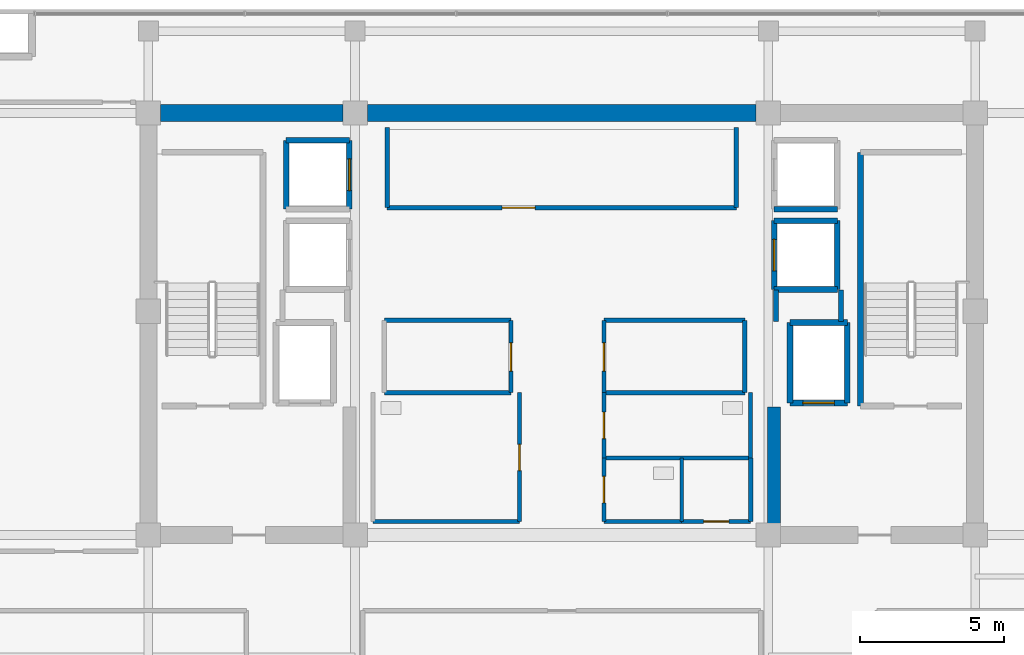
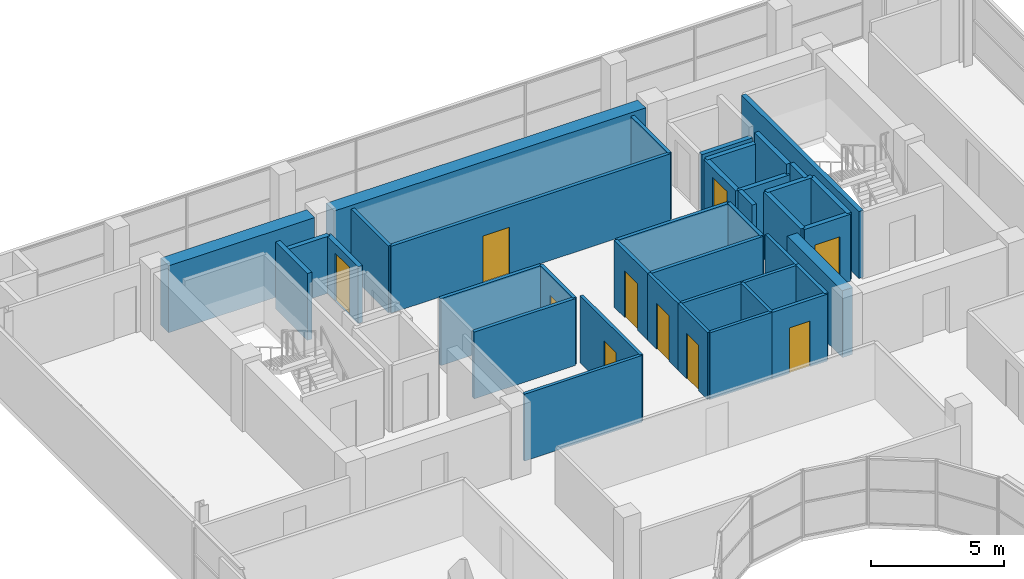
# One storey, part 24 of 29: 38 walls, 10 doors, 10 openings.
"""IFC4 building model written with IfcOpenShell, lengths in metres."""

from ifc_helpers import new_model, si_unit, direction, frame, frame_2d, origin, place, context, subcontext, project, spatial, rectangle, extrude, source, transform, mapped, material, layer, layer_set, type_object, element, fill, save


model = new_model("IFC4")

# Units and contexts
model_context = context("Model", 3, precision=1e-05, world=origin(), true_north=direction((0.0, 1.0)))
body_context = subcontext(model_context, "Body", "Model", "MODEL_VIEW")
ifc_project = project(units=[si_unit("LENGTHUNIT", "METRE"), si_unit("AREAUNIT", "SQUARE_METRE"), si_unit("VOLUMEUNIT", "CUBIC_METRE"), si_unit("PLANEANGLEUNIT", "RADIAN"), si_unit("MASSUNIT", "GRAM", prefix="KILO")], contexts=[model_context])

# Site, building, storey
site_placement = place(None, origin())
site = spatial("IfcSite", under=ifc_project, at=site_placement, CompositionType="ELEMENT")
building_placement = place(site_placement, origin())
building = spatial("IfcBuilding", under=site, at=building_placement, Name="Zarnakvel Exchange Tower", CompositionType="ELEMENT")
storey_placement = place(building_placement, frame((0.0, 0.0, 265.0)))
storey = spatial("IfcBuildingStorey", under=building, at=storey_placement, Name="L75", CompositionType="ELEMENT", Elevation=265.0)

# Walls
ifc_material_1 = material(Name="Concrete C50/60", Category="concrete")
ifc_layer_1 = layer(ifc_material_1, 0.60009765625)
ifc_layer_set_1 = layer_set([ifc_layer_1], Name="Concrete C50/60")
wall_type_1 = type_object("IfcWallType", Name="CW-C5", PredefinedType="SHEAR", material=ifc_layer_set_1)
wall_1_placement = place(storey_placement, frame((-13.97509765625, 13.5, 0.0), z_axis=(0.0, 0.0, 1.0), x_axis=(1.0, 0.0, 0.0)))
element("IfcWall", 1, at=wall_1_placement, inside=storey, type_object=wall_type_1, Name="L75 Rear Core Shear Wall N1 (CW-C5)", PredefinedType="SHEAR", context=body_context, shape_type="SweptSolid", body=[
    extrude(rectangle(XDim=6.35009765625, YDim=0.60009765625, at=frame_2d((3.175048828125, 0.0))), origin(), (0.0, 0.0, 1.0), 3.074951171875),
])
wall_2_placement = place(storey_placement, frame((-6.77490234375, 13.5, 0.0), z_axis=(0.0, 0.0, 1.0), x_axis=(1.0, 0.0, 0.0)))
element("IfcWall", 2, at=wall_2_placement, inside=storey, type_object=wall_type_1, Name="L75 Rear Core Shear Wall N2 (CW-C5)", PredefinedType="SHEAR", context=body_context, shape_type="SweptSolid", body=[
    extrude(rectangle(XDim=13.5498046875, YDim=0.60009765625, at=frame_2d((6.77490234375, 0.0))), origin(), (0.0, 0.0, 1.0), 3.074951171875),
])
ifc_layer_2 = layer(ifc_material_1, 0.449951171875)
ifc_layer_set_2 = layer_set([ifc_layer_2], Name="Concrete C50/60")
wall_type_2 = type_object("IfcWallType", Name="CW-C6", PredefinedType="SHEAR", material=ifc_layer_set_2)
wall_3_placement = place(storey_placement, frame((7.39990234375, -0.89990234375, 0.0), z_axis=(0.0, 0.0, 1.0), x_axis=(0.0, 1.0, 0.0)))
element("IfcWall", 3, at=wall_3_placement, inside=storey, type_object=wall_type_2, Name="L75 Rear Core Shear Wall IE (CW-C6)", PredefinedType="SHEAR", context=body_context, shape_type="SweptSolid", body=[
    extrude(rectangle(XDim=4.14990234375, YDim=0.449951171875, at=frame_2d((2.074951171875, 0.0))), origin(), (0.0, 0.0, 1.0), 3.074951171875),
])

# Wall, opening, door
ifc_material_2 = material(Name="Fire-Rated Gypsum Stud Partition", Category="gypsum")
ifc_layer_3 = layer(ifc_material_2, 0.14990234375)
ifc_layer_set_3 = layer_set([ifc_layer_3], Name="Fire-Rated Gypsum Stud Partition")
wall_type_3 = type_object("IfcWallType", Name="PT-01", PredefinedType="PARTITIONING", material=ifc_layer_set_3)
wall_4_placement = place(storey_placement, frame((6.080078125, 10.199951171875, 0.0), z_axis=(0.0, 0.0, 1.0), x_axis=(-1.0, 0.0, 0.0)))
wall_4 = element("IfcWall", 4, at=wall_4_placement, inside=storey, type_object=wall_type_3, Name="L75 Partition Wall PWALL-L75-011 (PT-01)", PredefinedType="PARTITIONING", context=body_context, shape_type="SweptSolid", body=[
    extrude(rectangle(XDim=12.16015625, YDim=0.14990234375, at=frame_2d((6.080078125, 0.0))), origin(), (0.0, 0.0, 1.0), 3.074951171875),
])
opening_1_placement = place(wall_4_placement, frame((7.0048828125, 0.0, 0.0)))
opening_1 = element("IfcOpeningElement", 5, at=opening_1_placement, cuts=wall_4, Name="Opening D-L75-05", PredefinedType="OPENING", context=body_context, shape_type="SweptSolid", body=[
    extrude(rectangle(XDim=1.14990234375, YDim=2.14990234375, at=frame_2d((0.574951171875, 1.074951171875))), frame((0.0, 0.0849609375, 0.0), z_axis=(0.0, -1.0, 0.0), x_axis=(1.0, 0.0, 0.0)), (0.0, 0.0, 1.0), 0.169921875),
])
ifc_material_3 = material(Name="Painted Galvanised Steel S355", Category="steel")
door_type_1 = type_object("IfcDoorType", Name="DT-04", OperationType="NOTDEFINED", PredefinedType="DOOR", material=ifc_material_3)
shared_shape_1 = source(origin(), body_context, "Body", "SweptSolid", [
    extrude(rectangle(XDim=1.14990234375, YDim=2.14990234375, at=frame_2d((0.574951171875, 1.074951171875))), frame((0.0, 0.02490234375, 0.0), z_axis=(0.0, -1.0, 0.0), x_axis=(1.0, 0.0, 0.0)), (0.0, 0.0, 1.0), 0.050048828125),
])
door_1_placement = place(opening_1_placement, origin())
door_1 = element("IfcDoor", 6, at=door_1_placement, inside=storey, type_object=door_type_1, Name="L75 Market Data Archive Suite Door D-L75-05", OperationType="SINGLE_SWING_LEFT", OverallHeight=2.14990234375, OverallWidth=1.14990234375, PredefinedType="DOOR", context=body_context, shape_type="MappedRepresentation", body=[
    mapped(shared_shape_1, transform((0.0, 0.0, 0.0), x_axis=(1.0, 0.0, 0.0), y_axis=(0.0, 1.0, 0.0), z_axis=(0.0, 0.0, 1.0), scale=1.0)),
])
fill(opening_1, door_1)

# Walls
for number, where, z_axis, x_axis, name in (
    (7, (-6.080078125, 10.199951171875, 0.0), (0.0, 0.0, 1.0), (0.0, 1.0, 0.0), "L75 Partition Wall PWALL-L75-012 (PT-01)"),
    (8, (6.080078125, 13.0, 0.0), (0.0, 0.0, 1.0), (0.0, -1.0, 0.0), "L75 Partition Wall PWALL-L75-013 (PT-01)"),
):
    element("IfcWall", number, at=place(storey_placement, frame(where, z_axis=z_axis, x_axis=x_axis)), inside=storey, type_object=wall_type_3, Name=name, PredefinedType="PARTITIONING", context=body_context, shape_type="SweptSolid", body=[
        extrude(rectangle(XDim=2.800048828125, YDim=0.14990234375, at=frame_2d((1.39990234375, 0.0))), origin(), (0.0, 0.0, 1.0), 3.074951171875),
    ])
for number, where, z_axis, x_axis, name in (
    (9, (-1.77001953125, 3.760009765625, 0.0), (0.0, 0.0, 1.0), (-1.0, 0.0, 0.0), "L75 Partition Wall PWALL-L75-014 (PT-01)"),
    (10, (-6.179931640625, 6.280029296875, 0.0), (0.0, 0.0, 1.0), (1.0, 0.0, 0.0), "L75 Partition Wall PWALL-L75-015 (PT-01)"),
):
    element("IfcWall", number, at=place(storey_placement, frame(where, z_axis=z_axis, x_axis=x_axis)), inside=storey, type_object=wall_type_3, Name=name, PredefinedType="PARTITIONING", context=body_context, shape_type="SweptSolid", body=[
        extrude(rectangle(XDim=4.409912109375, YDim=0.14990234375, at=frame_2d((2.205078125, 0.0))), origin(), (0.0, 0.0, 1.0), 3.074951171875),
    ])

# Wall, opening, door
wall_5_placement = place(storey_placement, frame((-1.77001953125, 6.280029296875, 0.0), z_axis=(0.0, 0.0, 1.0), x_axis=(0.0, -1.0, 0.0)))
wall_5 = element("IfcWall", 11, at=wall_5_placement, inside=storey, type_object=wall_type_3, Name="L75 Partition Wall PWALL-L75-017 (PT-01)", PredefinedType="PARTITIONING", context=body_context, shape_type="SweptSolid", body=[
    extrude(rectangle(XDim=2.52001953125, YDim=0.14990234375, at=frame_2d((1.260009765625, 0.0))), origin(), (0.0, 0.0, 1.0), 3.074951171875),
])
opening_2_placement = place(wall_5_placement, frame((0.7900390625, 0.0, 0.0)))
opening_2 = element("IfcOpeningElement", 12, at=opening_2_placement, cuts=wall_5, Name="Opening D-L75-06", PredefinedType="OPENING", context=body_context, shape_type="SweptSolid", body=[
    extrude(rectangle(XDim=0.97998046875, YDim=2.14990234375, at=frame_2d((0.489990234375, 1.074951171875))), frame((0.0, 0.0849609375, 0.0), z_axis=(0.0, -1.0, 0.0), x_axis=(1.0, 0.0, 0.0)), (0.0, 0.0, 1.0), 0.169921875),
])
ifc_material_4 = material(Name="Timber Acoustic Veneer", Category="wood")
door_type_2 = type_object("IfcDoorType", Name="DT-05", OperationType="NOTDEFINED", PredefinedType="DOOR", material=ifc_material_4)
shared_shape_2 = source(origin(), body_context, "Body", "SweptSolid", [
    extrude(rectangle(XDim=0.97998046875, YDim=2.14990234375, at=frame_2d((0.489990234375, 1.074951171875))), frame((0.0, 0.02490234375, 0.0), z_axis=(0.0, -1.0, 0.0), x_axis=(1.0, 0.0, 0.0)), (0.0, 0.0, 1.0), 0.050048828125),
])
door_2_placement = place(opening_2_placement, origin())
door_2 = element("IfcDoor", 13, at=door_2_placement, inside=storey, type_object=door_type_2, Name="L75 Sovereign Compliance Office Door D-L75-06", OperationType="SINGLE_SWING_RIGHT", OverallHeight=2.14990234375, OverallWidth=0.97998046875, PredefinedType="DOOR", context=body_context, shape_type="MappedRepresentation", body=[
    mapped(shared_shape_2, transform((0.0, 0.0, 0.0), x_axis=(1.0, 0.0, 0.0), y_axis=(0.0, 1.0, 0.0), z_axis=(0.0, 0.0, 1.0), scale=1.0)),
])
fill(opening_2, door_2)

# Walls
for number, where, z_axis, x_axis, name in (
    (14, (6.3798828125, 3.760009765625, 0.0), (0.0, 0.0, 1.0), (-1.0, 0.0, 0.0), "L75 Partition Wall PWALL-L75-018 (PT-01)"),
    (15, (1.469970703125, 6.280029296875, 0.0), (0.0, 0.0, 1.0), (1.0, 0.0, 0.0), "L75 Partition Wall PWALL-L75-019 (PT-01)"),
):
    element("IfcWall", number, at=place(storey_placement, frame(where, z_axis=z_axis, x_axis=x_axis)), inside=storey, type_object=wall_type_3, Name=name, PredefinedType="PARTITIONING", context=body_context, shape_type="SweptSolid", body=[
        extrude(rectangle(XDim=4.909912109375, YDim=0.14990234375, at=frame_2d((2.455078125, 0.0))), origin(), (0.0, 0.0, 1.0), 3.074951171875),
    ])

# Wall, opening, door
wall_6_placement = place(storey_placement, frame((1.469970703125, 3.760009765625, 0.0), z_axis=(0.0, 0.0, 1.0), x_axis=(0.0, 1.0, 0.0)))
wall_6 = element("IfcWall", 16, at=wall_6_placement, inside=storey, type_object=wall_type_3, Name="L75 Partition Wall PWALL-L75-020 (PT-01)", PredefinedType="PARTITIONING", context=body_context, shape_type="SweptSolid", body=[
    extrude(rectangle(XDim=2.52001953125, YDim=0.14990234375, at=frame_2d((1.260009765625, 0.0))), origin(), (0.0, 0.0, 1.0), 3.074951171875),
])
opening_3_placement = place(wall_6_placement, frame((0.75, 0.0, 0.0)))
opening_3 = element("IfcOpeningElement", 17, at=opening_3_placement, cuts=wall_6, Name="Opening D-L75-07", PredefinedType="OPENING", context=body_context, shape_type="SweptSolid", body=[
    extrude(rectangle(XDim=0.97998046875, YDim=2.14990234375, at=frame_2d((0.489990234375, 1.074951171875))), frame((0.0, 0.0849609375, 0.0), z_axis=(0.0, -1.0, 0.0), x_axis=(1.0, 0.0, 0.0)), (0.0, 0.0, 1.0), 0.169921875),
])
door_3_placement = place(opening_3_placement, origin())
door_3 = element("IfcDoor", 18, at=door_3_placement, inside=storey, type_object=door_type_2, Name="L75 Depository Legal Office Door D-L75-07", OperationType="SINGLE_SWING_LEFT", OverallHeight=2.14990234375, OverallWidth=0.97998046875, PredefinedType="DOOR", context=body_context, shape_type="MappedRepresentation", body=[
    mapped(shared_shape_2, transform((0.0, 0.0, 0.0), x_axis=(1.0, 0.0, 0.0), y_axis=(0.0, 1.0, 0.0), z_axis=(0.0, 0.0, 1.0), scale=1.0)),
])
fill(opening_3, door_3)

# Wall
wall_7_placement = place(storey_placement, frame((6.3798828125, 6.280029296875, 0.0), z_axis=(0.0, 0.0, 1.0), x_axis=(0.0, -1.0, 0.0)))
element("IfcWall", 19, at=wall_7_placement, inside=storey, type_object=wall_type_3, Name="L75 Partition Wall PWALL-L75-021 (PT-01)", PredefinedType="PARTITIONING", context=body_context, shape_type="SweptSolid", body=[
    extrude(rectangle(XDim=2.52001953125, YDim=0.14990234375, at=frame_2d((1.260009765625, 0.0))), origin(), (0.0, 0.0, 1.0), 3.074951171875),
])

# Wall, opening, door
wall_8_placement = place(storey_placement, frame((6.580078125, -0.72998046875, 0.0), z_axis=(0.0, 0.0, 1.0), x_axis=(-1.0, 0.0, 0.0)))
wall_8 = element("IfcWall", 20, at=wall_8_placement, inside=storey, type_object=wall_type_3, Name="L75 Partition Wall PWALL-L75-031 (PT-01)", PredefinedType="PARTITIONING", context=body_context, shape_type="SweptSolid", body=[
    extrude(rectangle(XDim=2.400146484375, YDim=0.14990234375, at=frame_2d((1.2001953125, 0.0))), origin(), (0.0, 0.0, 1.0), 3.074951171875),
])
opening_4_placement = place(wall_8_placement, frame((0.760009765625, 0.0, 0.0)))
opening_4 = element("IfcOpeningElement", 21, at=opening_4_placement, cuts=wall_8, Name="Opening D-L75-11", PredefinedType="OPENING", context=body_context, shape_type="SweptSolid", body=[
    extrude(rectangle(XDim=0.8798828125, YDim=2.10009765625, at=frame_2d((0.43994140625, 1.050048828125))), frame((0.0, 0.0849609375, 0.0), z_axis=(0.0, -1.0, 0.0), x_axis=(1.0, 0.0, 0.0)), (0.0, 0.0, 1.0), 0.169921875),
])
door_type_3 = type_object("IfcDoorType", Name="DT-08", OperationType="NOTDEFINED", PredefinedType="DOOR", material=ifc_material_3)
shared_shape_3 = source(origin(), body_context, "Body", "SweptSolid", [
    extrude(rectangle(XDim=0.8798828125, YDim=2.10009765625, at=frame_2d((0.43994140625, 1.050048828125))), frame((0.0, 0.02490234375, 0.0), z_axis=(0.0, -1.0, 0.0), x_axis=(1.0, 0.0, 0.0)), (0.0, 0.0, 1.0), 0.050048828125),
])
door_4_placement = place(opening_4_placement, origin())
door_4 = element("IfcDoor", 22, at=door_4_placement, inside=storey, type_object=door_type_3, Name="L75 Cleaners Store Door D-L75-11", OperationType="SINGLE_SWING_LEFT", OverallHeight=2.10009765625, OverallWidth=0.8798828125, PredefinedType="DOOR", context=body_context, shape_type="MappedRepresentation", body=[
    mapped(shared_shape_3, transform((0.0, 0.0, 0.0), x_axis=(1.0, 0.0, 0.0), y_axis=(0.0, 1.0, 0.0), z_axis=(0.0, 0.0, 1.0), scale=1.0)),
])
fill(opening_4, door_4)

# Walls
wall_9_placement = place(storey_placement, frame((6.580078125, 1.47998046875, 0.0), z_axis=(0.0, 0.0, 1.0), x_axis=(0.0, -1.0, 0.0)))
element("IfcWall", 23, at=wall_9_placement, inside=storey, type_object=wall_type_3, Name="L75 Partition Wall PWALL-L75-032 (PT-01)", PredefinedType="PARTITIONING", context=body_context, shape_type="SweptSolid", body=[
    extrude(rectangle(XDim=2.2099609375, YDim=0.14990234375, at=frame_2d((1.10498046875, 0.0))), origin(), (0.0, 0.0, 1.0), 3.074951171875),
])
ifc_layer_4 = layer(ifc_material_2, 0.179931640625)
ifc_layer_set_4 = layer_set([ifc_layer_4], Name="Fire-Rated Gypsum Stud Partition")
wall_type_4 = type_object("IfcWallType", Name="PT-02", PredefinedType="PARTITIONING", material=ifc_layer_set_4)
wall_10_placement = place(storey_placement, frame((7.469970703125, 6.239990234375, 0.0), z_axis=(0.0, 0.0, 1.0), x_axis=(0.0, 1.0, 0.0)))
element("IfcWall", 24, at=wall_10_placement, inside=storey, type_object=wall_type_4, Name="L75 Partition Wall PWALL-L75-009 (PT-02)", PredefinedType="PARTITIONING", context=body_context, shape_type="SweptSolid", body=[
    extrude(rectangle(XDim=1.090087890625, YDim=0.179931640625, at=frame_2d((0.544921875, 0.0))), origin(), (0.0, 0.0, 1.0), 2.614990234375),
])
wall_11_placement = place(storey_placement, frame((9.72998046875, 7.330078125, 0.0), z_axis=(0.0, 0.0, 1.0), x_axis=(0.0, -1.0, 0.0)))
element("IfcWall", 25, at=wall_11_placement, inside=storey, type_object=wall_type_4, Name="L75 Partition Wall PWALL-L75-010 (PT-02)", PredefinedType="PARTITIONING", context=body_context, shape_type="SweptSolid", body=[
    extrude(rectangle(XDim=1.090087890625, YDim=0.179931640625, at=frame_2d((0.544921875, 0.0))), origin(), (0.0, 0.0, 1.0), 3.074951171875),
])
ifc_material_5 = material(Name="Moisture-Resistant Tile-Faced Partition", Category="gypsum")
ifc_layer_5 = layer(ifc_material_5, 0.135009765625)
ifc_layer_set_5 = layer_set([ifc_layer_5], Name="Moisture-Resistant Tile-Faced Partition")
wall_type_5 = type_object("IfcWallType", Name="PT-03", PredefinedType="PARTITIONING", material=ifc_layer_set_5)
wall_12_placement = place(storey_placement, frame((-1.469970703125, -0.72998046875, 0.0), z_axis=(0.0, 0.0, 1.0), x_axis=(-1.0, 0.0, 0.0)))
element("IfcWall", 26, at=wall_12_placement, inside=storey, type_object=wall_type_5, Name="L75 Partition Wall PWALL-L75-022 (PT-03)", PredefinedType="PARTITIONING", context=body_context, shape_type="SweptSolid", body=[
    extrude(rectangle(XDim=5.110107421875, YDim=0.135009765625, at=frame_2d((2.55517578125, 0.0))), origin(), (0.0, 0.0, 1.0), 3.074951171875),
])

# Wall, opening, door
wall_13_placement = place(storey_placement, frame((-1.469970703125, 3.760009765625, 0.0), z_axis=(0.0, 0.0, 1.0), x_axis=(0.0, -1.0, 0.0)))
wall_13 = element("IfcWall", 27, at=wall_13_placement, inside=storey, type_object=wall_type_5, Name="L75 Partition Wall PWALL-L75-024 (PT-03)", PredefinedType="PARTITIONING", context=body_context, shape_type="SweptSolid", body=[
    extrude(rectangle(XDim=4.489990234375, YDim=0.135009765625, at=frame_2d((2.2451171875, 0.0))), origin(), (0.0, 0.0, 1.0), 3.074951171875),
])
opening_5_placement = place(wall_13_placement, frame((1.800048828125, 0.0, 0.0)))
opening_5 = element("IfcOpeningElement", 28, at=opening_5_placement, cuts=wall_13, Name="Opening D-L75-08", PredefinedType="OPENING", context=body_context, shape_type="SweptSolid", body=[
    extrude(rectangle(XDim=0.919921875, YDim=2.10009765625, at=frame_2d((0.4599609375, 1.050048828125))), frame((0.0, 0.077392578125, 0.0), z_axis=(0.0, -1.0, 0.0), x_axis=(1.0, 0.0, 0.0)), (0.0, 0.0, 1.0), 0.155029296875),
])
ifc_material_6 = material(Name="Moisture-Resistant Laminate Timber", Category="wood")
door_type_4 = type_object("IfcDoorType", Name="DT-07", OperationType="NOTDEFINED", PredefinedType="DOOR", material=ifc_material_6)
shared_shape_4 = source(origin(), body_context, "Body", "SweptSolid", [
    extrude(rectangle(XDim=0.919921875, YDim=2.10009765625, at=frame_2d((0.4599609375, 1.050048828125))), frame((0.0, 0.02490234375, 0.0), z_axis=(0.0, -1.0, 0.0), x_axis=(1.0, 0.0, 0.0)), (0.0, 0.0, 1.0), 0.050048828125),
])
door_5_placement = place(opening_5_placement, origin())
door_5 = element("IfcDoor", 29, at=door_5_placement, inside=storey, type_object=door_type_4, Name="L75 Male Toilet Door D-L75-08", OperationType="SINGLE_SWING_RIGHT", OverallHeight=2.10009765625, OverallWidth=0.919921875, PredefinedType="DOOR", context=body_context, shape_type="MappedRepresentation", body=[
    mapped(shared_shape_4, transform((0.0, 0.0, 0.0), x_axis=(1.0, 0.0, 0.0), y_axis=(0.0, 1.0, 0.0), z_axis=(0.0, 0.0, 1.0), scale=1.0)),
])
fill(opening_5, door_5)

# Wall
wall_14_placement = place(storey_placement, frame((6.580078125, 1.47998046875, 0.0), z_axis=(0.0, 0.0, 1.0), x_axis=(-1.0, 0.0, 0.0)))
element("IfcWall", 30, at=wall_14_placement, inside=storey, type_object=wall_type_5, Name="L75 Partition Wall PWALL-L75-025 (PT-03)", PredefinedType="PARTITIONING", context=body_context, shape_type="SweptSolid", body=[
    extrude(rectangle(XDim=5.110107421875, YDim=0.135009765625, at=frame_2d((2.55517578125, 0.0))), origin(), (0.0, 0.0, 1.0), 3.074951171875),
])

# Wall, opening, door
wall_15_placement = place(storey_placement, frame((1.469970703125, 1.47998046875, 0.0), z_axis=(0.0, 0.0, 1.0), x_axis=(0.0, 1.0, 0.0)))
wall_15 = element("IfcWall", 31, at=wall_15_placement, inside=storey, type_object=wall_type_5, Name="L75 Partition Wall PWALL-L75-026 (PT-03)", PredefinedType="PARTITIONING", context=body_context, shape_type="SweptSolid", body=[
    extrude(rectangle(XDim=2.280029296875, YDim=0.135009765625, at=frame_2d((1.14013671875, 0.0))), origin(), (0.0, 0.0, 1.0), 3.074951171875),
])
opening_6_placement = place(wall_15_placement, frame((0.679931640625, 0.0, 0.0)))
opening_6 = element("IfcOpeningElement", 32, at=opening_6_placement, cuts=wall_15, Name="Opening D-L75-09", PredefinedType="OPENING", context=body_context, shape_type="SweptSolid", body=[
    extrude(rectangle(XDim=0.919921875, YDim=2.10009765625, at=frame_2d((0.4599609375, 1.050048828125))), frame((0.0, 0.077392578125, 0.0), z_axis=(0.0, -1.0, 0.0), x_axis=(1.0, 0.0, 0.0)), (0.0, 0.0, 1.0), 0.155029296875),
])
door_6_placement = place(opening_6_placement, origin())
door_6 = element("IfcDoor", 33, at=door_6_placement, inside=storey, type_object=door_type_4, Name="L75 Female Toilet Door D-L75-09", OperationType="SINGLE_SWING_LEFT", OverallHeight=2.10009765625, OverallWidth=0.919921875, PredefinedType="DOOR", context=body_context, shape_type="MappedRepresentation", body=[
    mapped(shared_shape_4, transform((0.0, 0.0, 0.0), x_axis=(1.0, 0.0, 0.0), y_axis=(0.0, 1.0, 0.0), z_axis=(0.0, 0.0, 1.0), scale=1.0)),
])
fill(opening_6, door_6)

# Walls
wall_16_placement = place(storey_placement, frame((6.580078125, 3.760009765625, 0.0), z_axis=(0.0, 0.0, 1.0), x_axis=(0.0, -1.0, 0.0)))
element("IfcWall", 34, at=wall_16_placement, inside=storey, type_object=wall_type_5, Name="L75 Partition Wall PWALL-L75-027 (PT-03)", PredefinedType="PARTITIONING", context=body_context, shape_type="SweptSolid", body=[
    extrude(rectangle(XDim=2.280029296875, YDim=0.135009765625, at=frame_2d((1.14013671875, 0.0))), origin(), (0.0, 0.0, 1.0), 3.074951171875),
])
wall_17_placement = place(storey_placement, frame((4.179931640625, -0.72998046875, 0.0), z_axis=(0.0, 0.0, 1.0), x_axis=(-1.0, 0.0, 0.0)))
element("IfcWall", 35, at=wall_17_placement, inside=storey, type_object=wall_type_5, Name="L75 Partition Wall PWALL-L75-028 (PT-03)", PredefinedType="PARTITIONING", context=body_context, shape_type="SweptSolid", body=[
    extrude(rectangle(XDim=2.7099609375, YDim=0.135009765625, at=frame_2d((1.35498046875, 0.0))), origin(), (0.0, 0.0, 1.0), 3.074951171875),
])

# Wall, opening, door
wall_18_placement = place(storey_placement, frame((1.469970703125, -0.72998046875, 0.0), z_axis=(0.0, 0.0, 1.0), x_axis=(0.0, 1.0, 0.0)))
wall_18 = element("IfcWall", 36, at=wall_18_placement, inside=storey, type_object=wall_type_5, Name="L75 Partition Wall PWALL-L75-029 (PT-03)", PredefinedType="PARTITIONING", context=body_context, shape_type="SweptSolid", body=[
    extrude(rectangle(XDim=2.2099609375, YDim=0.135009765625, at=frame_2d((1.10498046875, 0.0))), origin(), (0.0, 0.0, 1.0), 3.074951171875),
])
opening_7_placement = place(wall_18_placement, frame((0.64990234375, 0.0, 0.0)))
opening_7 = element("IfcOpeningElement", 37, at=opening_7_placement, cuts=wall_18, Name="Opening D-L75-10", PredefinedType="OPENING", context=body_context, shape_type="SweptSolid", body=[
    extrude(rectangle(XDim=0.919921875, YDim=2.10009765625, at=frame_2d((0.4599609375, 1.050048828125))), frame((0.0, 0.077392578125, 0.0), z_axis=(0.0, -1.0, 0.0), x_axis=(1.0, 0.0, 0.0)), (0.0, 0.0, 1.0), 0.155029296875),
])
door_7_placement = place(opening_7_placement, origin())
door_7 = element("IfcDoor", 38, at=door_7_placement, inside=storey, type_object=door_type_4, Name="L75 Accessible Toilet Door D-L75-10", OperationType="SINGLE_SWING_RIGHT", OverallHeight=2.10009765625, OverallWidth=0.919921875, PredefinedType="DOOR", context=body_context, shape_type="MappedRepresentation", body=[
    mapped(shared_shape_4, transform((0.0, 0.0, 0.0), x_axis=(1.0, 0.0, 0.0), y_axis=(0.0, 1.0, 0.0), z_axis=(0.0, 0.0, 1.0), scale=1.0)),
])
fill(opening_7, door_7)

# Wall
wall_19_placement = place(storey_placement, frame((4.179931640625, 1.47998046875, 0.0), z_axis=(0.0, 0.0, 1.0), x_axis=(0.0, -1.0, 0.0)))
element("IfcWall", 39, at=wall_19_placement, inside=storey, type_object=wall_type_5, Name="L75 Partition Wall PWALL-L75-030 (PT-03)", PredefinedType="PARTITIONING", context=body_context, shape_type="SweptSolid", body=[
    extrude(rectangle(XDim=2.2099609375, YDim=0.135009765625, at=frame_2d((1.10498046875, 0.0))), origin(), (0.0, 0.0, 1.0), 3.074951171875),
])

# Wall, opening, door
ifc_material_7 = material(Name="Concrete C40/50", Category="concrete")
ifc_layer_6 = layer(ifc_material_7, 0.199951171875)
ifc_layer_set_6 = layer_set([ifc_layer_6], Name="Concrete C40/50")
wall_type_6 = type_object("IfcWallType", Name="SW-01", PredefinedType="SOLIDWALL", material=ifc_layer_set_6)
wall_20_placement = place(storey_placement, frame((9.949951171875, 3.39990234375, 0.0), z_axis=(0.0, 0.0, 1.0), x_axis=(-1.0, 0.0, 0.0)))
wall_20 = element("IfcWall", 40, at=wall_20_placement, inside=storey, type_object=wall_type_6, Name="L75 FL-02 Hoistway Wall South", PredefinedType="SOLIDWALL", context=body_context, shape_type="SweptSolid", body=[
    extrude(rectangle(XDim=2.0, YDim=0.199951171875, at=frame_2d((1.0, 0.0))), origin(), (0.0, 0.0, 1.0), 3.074951171875),
])
opening_8_placement = place(wall_20_placement, frame((0.449951171875, 0.0, 0.0)))
opening_8 = element("IfcOpeningElement", 41, at=opening_8_placement, cuts=wall_20, Name="Opening LD-FL-02-L75", PredefinedType="OPENING", context=body_context, shape_type="SweptSolid", body=[
    extrude(rectangle(XDim=1.10009765625, YDim=2.199951171875, at=frame_2d((0.550048828125, 1.10009765625))), frame((0.0, 0.10986328125, 0.0), z_axis=(0.0, -1.0, 0.0), x_axis=(1.0, 0.0, 0.0)), (0.0, 0.0, 1.0), 0.219970703125),
])
ifc_material_8 = material(Name="Brushed Stainless Steel", Category="steel")
door_type_5 = type_object("IfcDoorType", Name="LDT-01", OperationType="NOTDEFINED", PredefinedType="DOOR", material=ifc_material_8)
shared_shape_5 = source(origin(), body_context, "Body", "SweptSolid", [
    extrude(rectangle(XDim=1.10009765625, YDim=2.199951171875, at=frame_2d((0.550048828125, 1.10009765625))), frame((0.0, 0.02490234375, 0.0), z_axis=(0.0, -1.0, 0.0), x_axis=(1.0, 0.0, 0.0)), (0.0, 0.0, 1.0), 0.050048828125),
])
door_8_placement = place(opening_8_placement, origin())
door_8 = element("IfcDoor", 42, at=door_8_placement, inside=storey, type_object=door_type_5, Name="L75 FL-02 Lift Landing Door LD-FL-02-L75", OperationType="DOUBLE_DOOR_SLIDING", OverallHeight=2.199951171875, OverallWidth=1.10009765625, PredefinedType="DOOR", context=body_context, shape_type="MappedRepresentation", body=[
    mapped(shared_shape_5, transform((0.0, 0.0, 0.0), x_axis=(1.0, 0.0, 0.0), y_axis=(0.0, 1.0, 0.0), z_axis=(0.0, 0.0, 1.0), scale=1.0)),
])
fill(opening_8, door_8)

# Walls
wall_21_placement = place(storey_placement, frame((7.949951171875, 6.199951171875, 0.0), z_axis=(0.0, 0.0, 1.0), x_axis=(1.0, 0.0, 0.0)))
element("IfcWall", 43, at=wall_21_placement, inside=storey, type_object=wall_type_6, Name="L75 FL-02 Hoistway Wall North", PredefinedType="SOLIDWALL", context=body_context, shape_type="SweptSolid", body=[
    extrude(rectangle(XDim=2.0, YDim=0.199951171875, at=frame_2d((1.0, 0.0))), origin(), (0.0, 0.0, 1.0), 3.074951171875),
])
for number, where, z_axis, x_axis, name in (
    (44, (7.949951171875, 3.39990234375, 0.0), (0.0, 0.0, 1.0), (0.0, 1.0, 0.0), "L75 FL-02 Hoistway Wall West"),
    (45, (9.949951171875, 6.199951171875, 0.0), (0.0, 0.0, 1.0), (0.0, -1.0, 0.0), "L75 FL-02 Hoistway Wall East"),
):
    element("IfcWall", number, at=place(storey_placement, frame(where, z_axis=z_axis, x_axis=x_axis)), inside=storey, type_object=wall_type_6, Name=name, PredefinedType="SOLIDWALL", context=body_context, shape_type="SweptSolid", body=[
        extrude(rectangle(XDim=2.800048828125, YDim=0.199951171875, at=frame_2d((1.39990234375, 0.0))), origin(), (0.0, 0.0, 1.0), 3.074951171875),
    ])
wall_22_placement = place(storey_placement, frame((-9.60009765625, 12.550048828125, 0.0), z_axis=(0.0, 0.0, 1.0), x_axis=(1.0, 0.0, 0.0)))
element("IfcWall", 46, at=wall_22_placement, inside=storey, type_object=wall_type_6, Name="L75 PL-10 Hoistway Wall North", PredefinedType="SOLIDWALL", context=body_context, shape_type="SweptSolid", body=[
    extrude(rectangle(XDim=2.2001953125, YDim=0.199951171875, at=frame_2d((1.10009765625, 0.0))), origin(), (0.0, 0.0, 1.0), 2.614990234375),
])
wall_23_placement = place(storey_placement, frame((-9.60009765625, 10.14990234375, 0.0), z_axis=(0.0, 0.0, 1.0), x_axis=(0.0, 1.0, 0.0)))
element("IfcWall", 47, at=wall_23_placement, inside=storey, type_object=wall_type_6, Name="L75 PL-10 Hoistway Wall West", PredefinedType="SOLIDWALL", context=body_context, shape_type="SweptSolid", body=[
    extrude(rectangle(XDim=2.400146484375, YDim=0.199951171875, at=frame_2d((1.2001953125, 0.0))), origin(), (0.0, 0.0, 1.0), 3.074951171875),
])

# Wall, opening, door
wall_24_placement = place(storey_placement, frame((-7.39990234375, 12.550048828125, 0.0), z_axis=(0.0, 0.0, 1.0), x_axis=(0.0, -1.0, 0.0)))
wall_24 = element("IfcWall", 48, at=wall_24_placement, inside=storey, type_object=wall_type_6, Name="L75 PL-10 Hoistway Wall East", PredefinedType="SOLIDWALL", context=body_context, shape_type="SweptSolid", body=[
    extrude(rectangle(XDim=2.400146484375, YDim=0.199951171875, at=frame_2d((1.2001953125, 0.0))), origin(), (0.0, 0.0, 1.0), 2.614990234375),
])
opening_9_placement = place(wall_24_placement, frame((0.64990234375, 0.0, 0.0)))
opening_9 = element("IfcOpeningElement", 49, at=opening_9_placement, cuts=wall_24, Name="Opening LD-PL-10-L75", PredefinedType="OPENING", context=body_context, shape_type="SweptSolid", body=[
    extrude(rectangle(XDim=1.10009765625, YDim=2.199951171875, at=frame_2d((0.550048828125, 1.10009765625))), frame((0.0, 0.10986328125, 0.0), z_axis=(0.0, -1.0, 0.0), x_axis=(1.0, 0.0, 0.0)), (0.0, 0.0, 1.0), 0.219970703125),
])
ifc_material_9 = material(Name="Architectural Bronze Anodised Aluminium", Category="aluminium")
door_type_6 = type_object("IfcDoorType", Name="LDT-02", OperationType="NOTDEFINED", PredefinedType="DOOR", material=ifc_material_9)
door_9_placement = place(opening_9_placement, origin())
door_9 = element("IfcDoor", 50, at=door_9_placement, inside=storey, type_object=door_type_6, Name="L75 PL-10 Lift Landing Door LD-PL-10-L75", OperationType="DOUBLE_DOOR_SLIDING", OverallHeight=2.199951171875, OverallWidth=1.10009765625, PredefinedType="DOOR", context=body_context, shape_type="MappedRepresentation", body=[
    mapped(shared_shape_5, transform((0.0, 0.0, 0.0), x_axis=(1.0, 0.0, 0.0), y_axis=(0.0, 1.0, 0.0), z_axis=(0.0, 0.0, 1.0), scale=1.0)),
])
fill(opening_9, door_9)

# Walls
for number, where, z_axis, x_axis, name in (
    (51, (9.60009765625, 7.35009765625, 0.0), (0.0, 0.0, 1.0), (-1.0, 0.0, 0.0), "L75 PL-11 Hoistway Wall South"),
    (52, (7.39990234375, 9.75, 0.0), (0.0, 0.0, 1.0), (1.0, 0.0, 0.0), "L75 PL-11 Hoistway Wall North"),
):
    element("IfcWall", number, at=place(storey_placement, frame(where, z_axis=z_axis, x_axis=x_axis)), inside=storey, type_object=wall_type_6, Name=name, PredefinedType="SOLIDWALL", context=body_context, shape_type="SweptSolid", body=[
        extrude(rectangle(XDim=2.2001953125, YDim=0.199951171875, at=frame_2d((1.10009765625, 0.0))), origin(), (0.0, 0.0, 1.0), 2.614990234375),
    ])

# Wall, opening, door
wall_25_placement = place(storey_placement, frame((7.39990234375, 7.35009765625, 0.0), z_axis=(0.0, 0.0, 1.0), x_axis=(0.0, 1.0, 0.0)))
wall_25 = element("IfcWall", 53, at=wall_25_placement, inside=storey, type_object=wall_type_6, Name="L75 PL-11 Hoistway Wall West", PredefinedType="SOLIDWALL", context=body_context, shape_type="SweptSolid", body=[
    extrude(rectangle(XDim=2.39990234375, YDim=0.199951171875, at=frame_2d((1.199951171875, 0.0))), origin(), (0.0, 0.0, 1.0), 2.614990234375),
])
opening_10_placement = place(wall_25_placement, frame((0.64990234375, 0.0, 0.0)))
opening_10 = element("IfcOpeningElement", 54, at=opening_10_placement, cuts=wall_25, Name="Opening LD-PL-11-L75", PredefinedType="OPENING", context=body_context, shape_type="SweptSolid", body=[
    extrude(rectangle(XDim=1.10009765625, YDim=2.199951171875, at=frame_2d((0.550048828125, 1.10009765625))), frame((0.0, 0.10986328125, 0.0), z_axis=(0.0, -1.0, 0.0), x_axis=(1.0, 0.0, 0.0)), (0.0, 0.0, 1.0), 0.219970703125),
])
door_10_placement = place(opening_10_placement, origin())
door_10 = element("IfcDoor", 55, at=door_10_placement, inside=storey, type_object=door_type_6, Name="L75 PL-11 Lift Landing Door LD-PL-11-L75", OperationType="DOUBLE_DOOR_SLIDING", OverallHeight=2.199951171875, OverallWidth=1.10009765625, PredefinedType="DOOR", context=body_context, shape_type="MappedRepresentation", body=[
    mapped(shared_shape_5, transform((0.0, 0.0, 0.0), x_axis=(1.0, 0.0, 0.0), y_axis=(0.0, 1.0, 0.0), z_axis=(0.0, 0.0, 1.0), scale=1.0)),
])
fill(opening_10, door_10)

# Walls
wall_26_placement = place(storey_placement, frame((9.60009765625, 9.75, 0.0), z_axis=(0.0, 0.0, 1.0), x_axis=(0.0, -1.0, 0.0)))
element("IfcWall", 56, at=wall_26_placement, inside=storey, type_object=wall_type_6, Name="L75 PL-11 Hoistway Wall East", PredefinedType="SOLIDWALL", context=body_context, shape_type="SweptSolid", body=[
    extrude(rectangle(XDim=2.39990234375, YDim=0.199951171875, at=frame_2d((1.199951171875, 0.0))), origin(), (0.0, 0.0, 1.0), 3.074951171875),
])
wall_27_placement = place(storey_placement, frame((9.60009765625, 10.14990234375, 0.0), z_axis=(0.0, 0.0, 1.0), x_axis=(-1.0, 0.0, 0.0)))
element("IfcWall", 57, at=wall_27_placement, inside=storey, type_object=wall_type_6, Name="L75 PL-12 Hoistway Wall South", PredefinedType="SOLIDWALL", context=body_context, shape_type="SweptSolid", body=[
    extrude(rectangle(XDim=2.2001953125, YDim=0.199951171875, at=frame_2d((1.10009765625, 0.0))), origin(), (0.0, 0.0, 1.0), 2.614990234375),
])
ifc_layer_7 = layer(ifc_material_7, 0.199951171875)
ifc_layer_set_7 = layer_set([ifc_layer_7], Name="Concrete C40/50")
wall_type_7 = type_object("IfcWallType", Name="SW-02", PredefinedType="SOLIDWALL", material=ifc_layer_set_7)
wall_28_placement = place(storey_placement, frame((10.409912109375, 3.2900390625, 0.0), z_axis=(0.0, 0.0, 1.0), x_axis=(0.0, 1.0, 0.0)))
element("IfcWall", 58, at=wall_28_placement, inside=storey, type_object=wall_type_7, Name="L75 Stairwell Core Wall PWALL-L75-006 (SW-02)", PredefinedType="SOLIDWALL", context=body_context, shape_type="SweptSolid", body=[
    extrude(rectangle(XDim=8.83984375, YDim=0.199951171875, at=frame_2d((4.419921875, 0.0))), origin(), (0.0, 0.0, 1.0), 3.074951171875),
])

save(model, "model.ifc")
